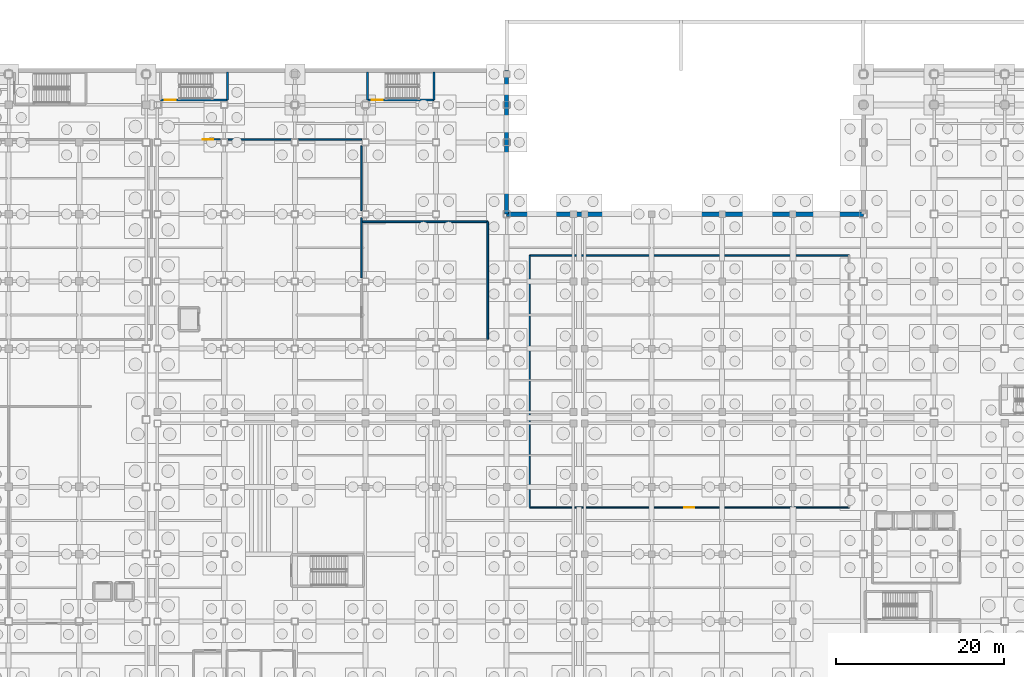
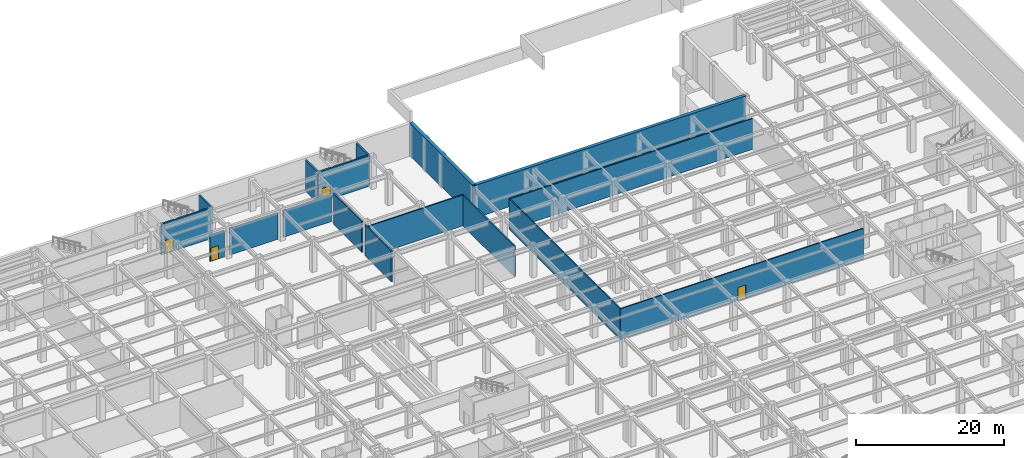
# One storey, part 36 of 55: 17 walls, 4 doors, 4 openings.
"""IFC4 building model written with IfcOpenShell, lengths in metres."""

from ifc_helpers import new_model, si_unit, direction, frame, frame_2d, origin, place, context, subcontext, project, spatial, rectangle, extrude, material, layer, layer_set, type_object, element, fill, save


model = new_model("IFC4")

# Units and contexts
model_context = context("Model", 3, precision=1e-05, world=origin(), true_north=direction((0.0, 1.0)))
body_context = subcontext(model_context, "Body", "Model", "MODEL_VIEW")
ifc_project = project(units=[si_unit("LENGTHUNIT", "METRE"), si_unit("AREAUNIT", "SQUARE_METRE"), si_unit("VOLUMEUNIT", "CUBIC_METRE"), si_unit("PLANEANGLEUNIT", "RADIAN"), si_unit("MASSUNIT", "GRAM", prefix="KILO")], contexts=[model_context])

# Site, building, storey
site_placement = place(None, origin())
site = spatial("IfcSite", under=ifc_project, at=site_placement, CompositionType="ELEMENT")
building_placement = place(site_placement, origin())
building = spatial("IfcBuilding", under=site, at=building_placement, Name="Kazehara Bluff Congress Hotel", CompositionType="ELEMENT")
storey_placement = place(building_placement, frame((0.0, 0.0, -5.39990234375)))
storey = spatial("IfcBuildingStorey", under=building, at=storey_placement, Name="B1", CompositionType="ELEMENT", Elevation=-5.39990234375)

# Wall
ifc_material_1 = material(Name="Concrete C40/50", Category="concrete")
ifc_layer_1 = layer(ifc_material_1, 0.25)
ifc_layer_set_1 = layer_set([ifc_layer_1], Name="Concrete C40/50")
wall_type_1 = type_object("IfcWallType", Name="TP-CW-RC", PredefinedType="SHEAR", material=ifc_layer_set_1)
wall_1_placement = place(storey_placement, frame((68.02490234375, 113.824951171875, 0.0), z_axis=(0.0, 0.0, 1.0), x_axis=(0.0, -1.0, 0.0)))
element("IfcWall", 1, at=wall_1_placement, inside=storey, type_object=wall_type_1, Name="B1 ST-06 core wall far", PredefinedType="SHEAR", context=body_context, shape_type="SweptSolid", body=[
    extrude(rectangle(XDim=3.349853515625, YDim=0.25, at=frame_2d((1.6748046875, 0.0))), origin(), (0.0, 0.0, 1.0), 5.119873046875),
])

# Wall, opening, door
wall_2_placement = place(storey_placement, frame((68.02490234375, 110.47509765625, 0.0), z_axis=(0.0, 0.0, 1.0), x_axis=(-1.0, 0.0, 0.0)))
wall_2 = element("IfcWall", 2, at=wall_2_placement, inside=storey, type_object=wall_type_1, Name="B1 ST-06 core wall left", PredefinedType="SHEAR", context=body_context, shape_type="SweptSolid", body=[
    extrude(rectangle(XDim=7.949951171875, YDim=0.25, at=frame_2d((3.97509765625, 0.0))), origin(), (0.0, 0.0, 1.0), 5.119873046875),
])
opening_1_placement = place(wall_2_placement, frame((6.125, 0.0, 0.0)))
opening_1 = element("IfcOpeningElement", 3, at=opening_1_placement, cuts=wall_2, Name="Opening FD-01", PredefinedType="OPENING", context=body_context, shape_type="SweptSolid", body=[
    extrude(rectangle(XDim=1.300048828125, YDim=2.199951171875, at=frame_2d((0.64990234375, 1.10009765625))), frame((0.0, 0.135009765625, 0.0), z_axis=(0.0, -1.0, 0.0), x_axis=(1.0, 0.0, 0.0)), (0.0, 0.0, 1.0), 0.27001953125),
])
ifc_material_2 = material(Name="Fire-rated painted steel leaf", Category="steel")
door_type_1 = type_object("IfcDoorType", Name="TP-FD-01", OperationType="NOTDEFINED", PredefinedType="DOOR", material=ifc_material_2)
door_1_placement = place(opening_1_placement, origin())
door_1 = element("IfcDoor", 4, at=door_1_placement, inside=storey, type_object=door_type_1, Name="B1 ST-06 fire stair door", OperationType="SINGLE_SWING_LEFT", OverallHeight=2.199951171875, OverallWidth=1.300048828125, PredefinedType="DOOR", context=body_context, shape_type="SweptSolid", body=[
    extrude(rectangle(XDim=1.300048828125, YDim=2.199951171875, at=frame_2d((0.64990234375, 1.10009765625))), frame((0.0, 0.02490234375, 0.0), z_axis=(0.0, -1.0, 0.0), x_axis=(1.0, 0.0, 0.0)), (0.0, 0.0, 1.0), 0.050048828125),
])
fill(opening_1, door_1)

# Walls
for number, where, z_axis, x_axis, name in (
    (5, (84.675048828125, 110.47509765625, 0.0), (0.0, 0.0, 1.0), (0.0, 1.0, 0.0), "B1 ST-07 core wall near"),
    (6, (92.625, 113.824951171875, 0.0), (0.0, 0.0, 1.0), (0.0, -1.0, 0.0), "B1 ST-07 core wall far"),
):
    element("IfcWall", number, at=place(storey_placement, frame(where, z_axis=z_axis, x_axis=x_axis)), inside=storey, type_object=wall_type_1, Name=name, PredefinedType="SHEAR", context=body_context, shape_type="SweptSolid", body=[
        extrude(rectangle(XDim=3.349853515625, YDim=0.25, at=frame_2d((1.6748046875, 0.0))), origin(), (0.0, 0.0, 1.0), 5.119873046875),
    ])

# Wall, opening, door
wall_3_placement = place(storey_placement, frame((92.625, 110.47509765625, 0.0), z_axis=(0.0, 0.0, 1.0), x_axis=(-1.0, 0.0, 0.0)))
wall_3 = element("IfcWall", 7, at=wall_3_placement, inside=storey, type_object=wall_type_1, Name="B1 ST-07 core wall left", PredefinedType="SHEAR", context=body_context, shape_type="SweptSolid", body=[
    extrude(rectangle(XDim=7.949951171875, YDim=0.25, at=frame_2d((3.97509765625, 0.0))), origin(), (0.0, 0.0, 1.0), 5.119873046875),
])
opening_2_placement = place(wall_3_placement, frame((6.125, 0.0, 0.0)))
opening_2 = element("IfcOpeningElement", 8, at=opening_2_placement, cuts=wall_3, Name="Opening FD-01", PredefinedType="OPENING", context=body_context, shape_type="SweptSolid", body=[
    extrude(rectangle(XDim=1.300048828125, YDim=2.199951171875, at=frame_2d((0.64990234375, 1.10009765625))), frame((0.0, 0.135009765625, 0.0), z_axis=(0.0, -1.0, 0.0), x_axis=(1.0, 0.0, 0.0)), (0.0, 0.0, 1.0), 0.27001953125),
])
door_2_placement = place(opening_2_placement, origin())
door_2 = element("IfcDoor", 9, at=door_2_placement, inside=storey, type_object=door_type_1, Name="B1 ST-07 fire stair door", OperationType="SINGLE_SWING_LEFT", OverallHeight=2.199951171875, OverallWidth=1.300048828125, PredefinedType="DOOR", context=body_context, shape_type="SweptSolid", body=[
    extrude(rectangle(XDim=1.300048828125, YDim=2.199951171875, at=frame_2d((0.64990234375, 1.10009765625))), frame((0.0, 0.02490234375, 0.0), z_axis=(0.0, -1.0, 0.0), x_axis=(1.0, 0.0, 0.0)), (0.0, 0.0, 1.0), 0.050048828125),
])
fill(opening_2, door_2)

# Wall
ifc_material_3 = material(Name="Concrete C40/50", Category="concrete")
ifc_layer_2 = layer(ifc_material_3, 0.199951171875)
ifc_layer_set_2 = layer_set([ifc_layer_2], Name="Concrete C40/50")
wall_type_2 = type_object("IfcWallType", Name="TP-FW-RC", PredefinedType="SOLIDWALL", material=ifc_layer_set_2)
wall_4_placement = place(storey_placement, frame((84.0, 96.0, 0.0), z_axis=(0.0, 0.0, 1.0), x_axis=(1.0, 0.0, 0.0)))
element("IfcWall", 10, at=wall_4_placement, inside=storey, type_object=wall_type_2, Name="B1 partition FW-RC 19", PredefinedType="SOLIDWALL", context=body_context, shape_type="SweptSolid", body=[
    extrude(rectangle(XDim=15.0, YDim=0.199951171875, at=frame_2d((7.5, 0.0))), origin(), (0.0, 0.0, 1.0), 5.10498046875),
])

# Wall, opening, door
wall_5_placement = place(storey_placement, frame((65.0, 105.800048828125, 0.0), z_axis=(0.0, 0.0, 1.0), x_axis=(1.0, 0.0, 0.0)))
wall_5 = element("IfcWall", 11, at=wall_5_placement, inside=storey, type_object=wall_type_2, Name="B1 partition FW-RC 25", PredefinedType="SOLIDWALL", context=body_context, shape_type="SweptSolid", body=[
    extrude(rectangle(XDim=2.22998046875, YDim=0.199951171875, at=frame_2d((1.114990234375, 0.0))), origin(), (0.0, 0.0, 1.0), 4.39501953125),
])
opening_3_placement = place(wall_5_placement, frame((0.1201171875, 0.0, 0.0)))
opening_3 = element("IfcOpeningElement", 12, at=opening_3_placement, cuts=wall_5, Name="Opening FD-02", PredefinedType="OPENING", context=body_context, shape_type="SweptSolid", body=[
    extrude(rectangle(XDim=1.199951171875, YDim=2.199951171875, at=frame_2d((0.60009765625, 1.10009765625))), frame((0.0, 0.10986328125, 0.0), z_axis=(0.0, -1.0, 0.0), x_axis=(1.0, 0.0, 0.0)), (0.0, 0.0, 1.0), 0.219970703125),
])
ifc_material_4 = material(Name="Fire-rated painted steel leaf", Category="steel")
door_type_2 = type_object("IfcDoorType", Name="TP-FD-02", OperationType="NOTDEFINED", PredefinedType="DOOR", material=ifc_material_4)
door_3_placement = place(opening_3_placement, origin())
door_3 = element("IfcDoor", 13, at=door_3_placement, inside=storey, type_object=door_type_2, Name="B1 Thermal Spa Water Filtration and Heat Recovery Plant door", OperationType="SINGLE_SWING_RIGHT", OverallHeight=2.199951171875, OverallWidth=1.199951171875, PredefinedType="DOOR", context=body_context, shape_type="SweptSolid", body=[
    extrude(rectangle(XDim=1.199951171875, YDim=2.199951171875, at=frame_2d((0.60009765625, 1.10009765625))), frame((0.0, 0.02490234375, 0.0), z_axis=(0.0, -1.0, 0.0), x_axis=(1.0, 0.0, 0.0)), (0.0, 0.0, 1.0), 0.050048828125),
])
fill(opening_3, door_3)

# Walls
wall_6_placement = place(storey_placement, frame((68.070068359375, 105.800048828125, 0.0), z_axis=(0.0, 0.0, 1.0), x_axis=(1.0, 0.0, 0.0)))
element("IfcWall", 14, at=wall_6_placement, inside=storey, type_object=wall_type_2, Name="B1 partition FW-RC 26", PredefinedType="SOLIDWALL", context=body_context, shape_type="SweptSolid", body=[
    extrude(rectangle(XDim=7.559814453125, YDim=0.199951171875, at=frame_2d((3.77978515625, 0.0))), origin(), (0.0, 0.0, 1.0), 4.39501953125),
])
wall_7_placement = place(storey_placement, frame((76.469970703125, 105.800048828125, 0.0), z_axis=(0.0, 0.0, 1.0), x_axis=(1.0, 0.0, 0.0)))
element("IfcWall", 15, at=wall_7_placement, inside=storey, type_object=wall_type_2, Name="B1 partition FW-RC 27", PredefinedType="SOLIDWALL", context=body_context, shape_type="SweptSolid", body=[
    extrude(rectangle(XDim=7.530029296875, YDim=0.199951171875, at=frame_2d((3.76513671875, 0.0))), origin(), (0.0, 0.0, 1.0), 4.39501953125),
])
wall_8_placement = place(storey_placement, frame((84.0, 89.320068359375, 0.0), z_axis=(0.0, 0.0, 1.0), x_axis=(0.0, 1.0, 0.0)))
element("IfcWall", 16, at=wall_8_placement, inside=storey, type_object=wall_type_2, Name="B1 partition FW-RC 46", PredefinedType="SOLIDWALL", context=body_context, shape_type="SweptSolid", body=[
    extrude(rectangle(XDim=7.159912109375, YDim=0.199951171875, at=frame_2d((3.580078125, 0.0))), origin(), (0.0, 0.0, 1.0), 5.10498046875),
])
wall_9_placement = place(storey_placement, frame((84.0, 97.320068359375, 0.0), z_axis=(0.0, 0.0, 1.0), x_axis=(0.0, 1.0, 0.0)))
element("IfcWall", 17, at=wall_9_placement, inside=storey, type_object=wall_type_2, Name="B1 partition FW-RC 47", PredefinedType="SOLIDWALL", context=body_context, shape_type="SweptSolid", body=[
    extrude(rectangle(XDim=7.7099609375, YDim=0.199951171875, at=frame_2d((3.85498046875, 0.0))), origin(), (0.0, 0.0, 1.0), 5.10498046875),
])
wall_10_placement = place(storey_placement, frame((99.0, 82.0, 0.0), z_axis=(0.0, 0.0, 1.0), x_axis=(0.0, 1.0, 0.0)))
element("IfcWall", 18, at=wall_10_placement, inside=storey, type_object=wall_type_2, Name="B1 partition FW-RC 48", PredefinedType="SOLIDWALL", context=body_context, shape_type="SweptSolid", body=[
    extrude(rectangle(XDim=14.0, YDim=0.199951171875, at=frame_2d((7.0, 0.0))), origin(), (0.0, 0.0, 1.0), 5.10498046875),
])

# Wall, opening, door
ifc_material_5 = material(Name="Fire-rated gypsum board stud partition")
ifc_layer_3 = layer(ifc_material_5, 0.169921875)
ifc_layer_set_3 = layer_set([ifc_layer_3], Name="Fire-rated gypsum board stud partition")
wall_type_3 = type_object("IfcWallType", Name="TP-PT-180", PredefinedType="PARTITIONING", material=ifc_layer_set_3)
wall_11_placement = place(storey_placement, frame((104.0, 62.0, 0.0), z_axis=(0.0, 0.0, 1.0), x_axis=(1.0, 0.0, 0.0)))
wall_11 = element("IfcWall", 19, at=wall_11_placement, inside=storey, type_object=wall_type_3, Name="B1 partition PT-180 14", PredefinedType="PARTITIONING", context=body_context, shape_type="SweptSolid", body=[
    extrude(rectangle(XDim=38.0, YDim=0.169921875, at=frame_2d((19.0, 0.0))), origin(), (0.0, 0.0, 1.0), 5.10498046875),
])
opening_4_placement = place(wall_11_placement, frame((18.39990234375, 0.0, 0.0)))
opening_4 = element("IfcOpeningElement", 20, at=opening_4_placement, cuts=wall_11, Name="Opening FD-02", PredefinedType="OPENING", context=body_context, shape_type="SweptSolid", body=[
    extrude(rectangle(XDim=1.199951171875, YDim=2.199951171875, at=frame_2d((0.60009765625, 1.10009765625))), frame((0.0, 0.094970703125, 0.0), z_axis=(0.0, -1.0, 0.0), x_axis=(1.0, 0.0, 0.0)), (0.0, 0.0, 1.0), 0.18994140625),
])
door_4_placement = place(opening_4_placement, origin())
door_4 = element("IfcDoor", 21, at=door_4_placement, inside=storey, type_object=door_type_2, Name="B1 Hotel Linen Laundry and Housekeeping Store door", OperationType="SINGLE_SWING_RIGHT", OverallHeight=2.199951171875, OverallWidth=1.199951171875, PredefinedType="DOOR", context=body_context, shape_type="SweptSolid", body=[
    extrude(rectangle(XDim=1.199951171875, YDim=2.199951171875, at=frame_2d((0.60009765625, 1.10009765625))), frame((0.0, 0.02490234375, 0.0), z_axis=(0.0, -1.0, 0.0), x_axis=(1.0, 0.0, 0.0)), (0.0, 0.0, 1.0), 0.050048828125),
])
fill(opening_4, door_4)

# Walls
wall_12_placement = place(storey_placement, frame((104.0, 92.0, 0.0), z_axis=(0.0, 0.0, 1.0), x_axis=(1.0, 0.0, 0.0)))
element("IfcWall", 22, at=wall_12_placement, inside=storey, type_object=wall_type_3, Name="B1 partition PT-180 18", PredefinedType="PARTITIONING", context=body_context, shape_type="SweptSolid", body=[
    extrude(rectangle(XDim=38.0, YDim=0.169921875, at=frame_2d((19.0, 0.0))), origin(), (0.0, 0.0, 1.0), 5.10498046875),
])
wall_13_placement = place(storey_placement, frame((104.0, 62.0, 0.0), z_axis=(0.0, 0.0, 1.0), x_axis=(0.0, 1.0, 0.0)))
element("IfcWall", 23, at=wall_13_placement, inside=storey, type_object=wall_type_3, Name="B1 partition PT-180 49", PredefinedType="PARTITIONING", context=body_context, shape_type="SweptSolid", body=[
    extrude(rectangle(XDim=30.0, YDim=0.169921875, at=frame_2d((15.0, 0.0))), origin(), (0.0, 0.0, 1.0), 5.10498046875),
])
ifc_material_6 = material(Name="Concrete C40/50", Category="concrete")
ifc_layer_4 = layer(ifc_material_6, 0.5)
ifc_layer_set_4 = layer_set([ifc_layer_4], Name="Concrete C40/50")
wall_type_4 = type_object("IfcWallType", Name="TP-RW-500", PredefinedType="USERDEFINED", material=ifc_layer_set_4)
wall_14_placement = place(storey_placement, frame((143.699951171875, 96.89990234375, 0.0), z_axis=(0.0, 0.0, 1.0), x_axis=(-1.0, 0.0, 0.0)))
element("IfcWall", 24, at=wall_14_placement, inside=storey, type_object=wall_type_4, Name="Basement perimeter retaining wall 9", ObjectType="RETAININGWALL", PredefinedType="USERDEFINED", context=body_context, shape_type="SweptSolid", body=[
    extrude(rectangle(XDim=42.449951171875, YDim=0.5, at=frame_2d((21.22509765625, 0.0))), origin(), (0.0, 0.0, 1.0), 5.39990234375),
])
wall_15_placement = place(storey_placement, frame((101.25, 96.89990234375, 0.0), z_axis=(0.0, 0.0, 1.0), x_axis=(0.0, 1.0, 0.0)))
element("IfcWall", 25, at=wall_15_placement, inside=storey, type_object=wall_type_4, Name="Basement perimeter retaining wall 10", ObjectType="RETAININGWALL", PredefinedType="USERDEFINED", context=body_context, shape_type="SweptSolid", body=[
    extrude(rectangle(XDim=17.10009765625, YDim=0.5, at=frame_2d((8.550048828125, 0.0))), origin(), (0.0, 0.0, 1.0), 5.39990234375),
])

save(model, "model.ifc")
